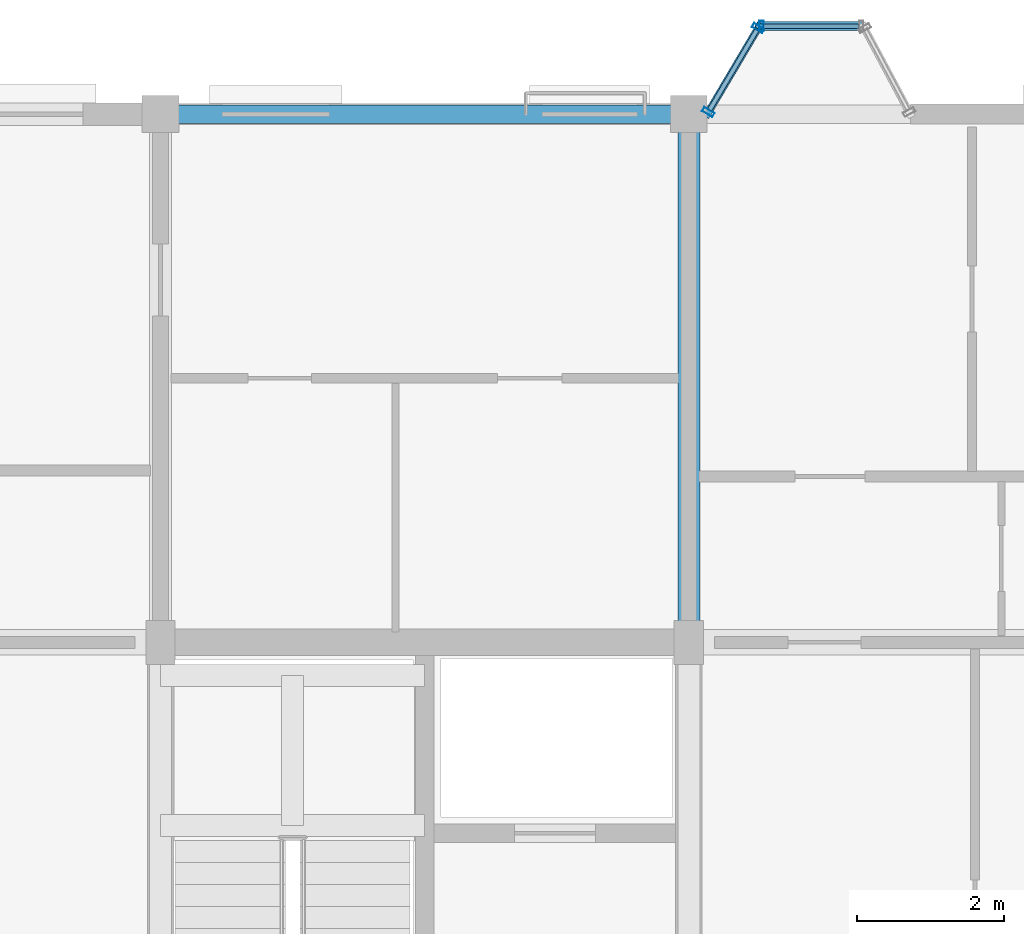
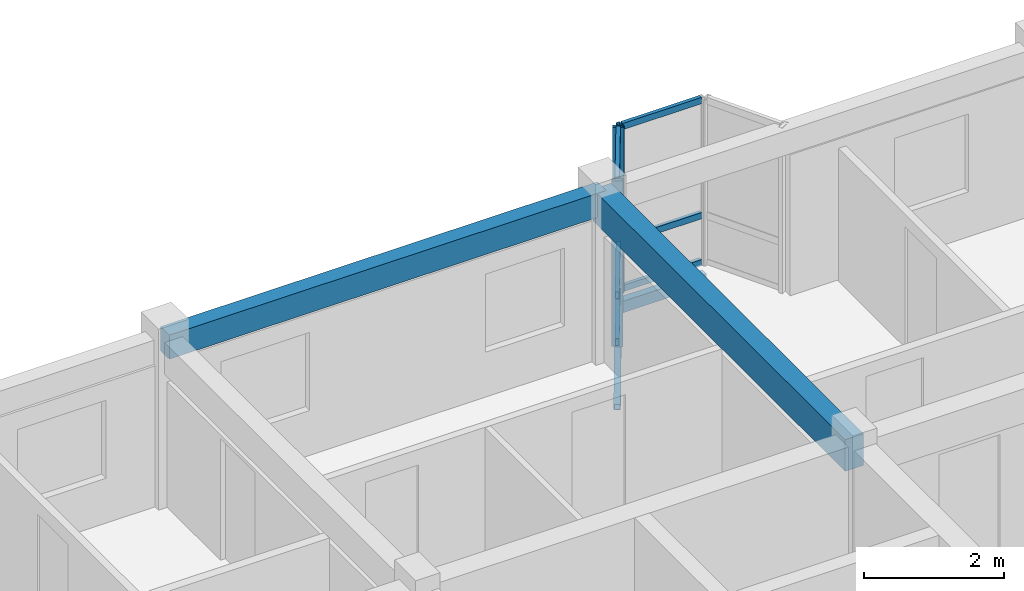
# One storey, part 33 of 64: 11 members, 2 beams, 2 elements without a shape of their own.
"""IFC4 building model written with IfcOpenShell, lengths in metres."""

from ifc_helpers import new_model, si_unit, direction, frame, origin, origin_2d, place, context, subcontext, project, spatial, rectangle, hollow_rectangle, extrude, material, layer, layer_set, material_profile, profile_set, type_object, element, aggregate, save


model = new_model("IFC4")

# Units and contexts
model_context = context("Model", 3, precision=1e-05, world=origin(), true_north=direction((0.0, 1.0)))
body_context = subcontext(model_context, "Body", "Model", "MODEL_VIEW")
ifc_project = project(units=[si_unit("LENGTHUNIT", "METRE"), si_unit("AREAUNIT", "SQUARE_METRE"), si_unit("VOLUMEUNIT", "CUBIC_METRE"), si_unit("PLANEANGLEUNIT", "RADIAN"), si_unit("MASSUNIT", "GRAM", prefix="KILO"), si_unit("THERMODYNAMICTEMPERATUREUNIT", "KELVIN"), si_unit("POWERUNIT", "WATT")], contexts=[model_context])

# Site, building, storey
site_placement = place(None, origin())
site = spatial("IfcSite", under=ifc_project, at=site_placement, CompositionType="ELEMENT")
building_placement = place(site_placement, origin())
building = spatial("IfcBuilding", under=site, at=building_placement, Name="Tavuni Mirador Residences", CompositionType="ELEMENT")
storey_placement = place(building_placement, frame((0.0, 0.0, 26.550048828125)))
storey = spatial("IfcBuildingStorey", under=building, at=storey_placement, Name="L08", CompositionType="ELEMENT", Elevation=26.550048828125)

# Beams
ifc_material_1 = material(Name="Precast concrete C40/50", Category="concrete")
ifc_material_profile_1 = material_profile(ifc_material_1, rectangle(XDim=0.300048828125, YDim=0.550048828125, at=origin_2d()), Name="PC 300x550", Category="concrete")
ifc_profile_set_1 = profile_set([ifc_material_profile_1], Name="Precast concrete C40/50")
beam_type_1 = type_object("IfcBeamType", Name="BT-B550", PredefinedType="BEAM", material=ifc_profile_set_1)
beam_1_placement = place(storey_placement, frame((32.39990234375, 165.60009765625, 2.60986328125), z_axis=(0.0, 1.0, 0.0), x_axis=(-1.0, 0.0, 0.0)))
element("IfcBeam", 1, at=beam_1_placement, inside=storey, type_object=beam_type_1, Name="BMY-BLK-C-L08-03-03", PredefinedType="BEAM", context=body_context, shape_type="SweptSolid", body=[
    extrude(rectangle(XDim=0.300048828125, YDim=0.550048828125, at=origin_2d()), origin(), (0.0, 0.0, 1.0), 7.199951171875),
])
ifc_material_profile_2 = material_profile(ifc_material_1, rectangle(XDim=0.25, YDim=0.419921875, at=origin_2d()), Name="PC 250x420", Category="concrete")
ifc_profile_set_2 = profile_set([ifc_material_profile_2], Name="Precast concrete C40/50")
beam_type_2 = type_object("IfcBeamType", Name="BT-SP420", PredefinedType="SPANDREL", material=ifc_profile_set_2)
beam_2_placement = place(storey_placement, frame((25.199951171875, 172.800048828125, 2.675048828125), z_axis=(1.0, 0.0, 0.0), x_axis=(0.0, 1.0, 0.0)))
element("IfcBeam", 2, at=beam_2_placement, inside=storey, type_object=beam_type_2, Name="BMX-BLK-C-L08-02-04", PredefinedType="SPANDREL", context=body_context, shape_type="SweptSolid", body=[
    extrude(rectangle(XDim=0.25, YDim=0.419921875, at=origin_2d()), origin(), (0.0, 0.0, 1.0), 7.199951171875),
])

# Curtain wall, member
ifc_material_2 = material(Name="Anodised aluminium", Category="aluminium")
ifc_layer_1 = layer(ifc_material_2, 0.1650390625, Name="Anodised aluminium", Category="aluminium")
ifc_layer_set_1 = layer_set([ifc_layer_1], Name="Anodised aluminium")
curtain_wall_type_1 = type_object("IfcCurtainWallType", Name="CWT-MIR-A", PredefinedType="NOTDEFINED", material=ifc_layer_set_1)
curtain_wall_1_placement = place(storey_placement, origin())
curtain_wall_1 = element("IfcCurtainWall", 3, at=curtain_wall_1_placement, inside=storey, type_object=curtain_wall_type_1, Name="CW-MIR-C-N2-L08-MF", PredefinedType="NOTDEFINED")
ifc_material_profile_3 = material_profile(ifc_material_2, hollow_rectangle(XDim=0.06005859375, YDim=0.139892578125, WallThickness=0.00390625, at=origin_2d()), Name="ALU 60x140x4.0", Category="aluminium")
ifc_profile_set_3 = profile_set([ifc_material_profile_3], Name="Anodised aluminium")
member_type_1 = type_object("IfcMemberType", Name="CWM-140", PredefinedType="MULLION", material=ifc_profile_set_3)
member_1_placement = place(storey_placement, frame((33.389892578125, 174.0, 0.0), z_axis=(0.0, 0.0, 1.0), x_axis=(-1.0, 0.0, 0.0)))
member_1 = element("IfcMember", 4, at=member_1_placement, type_object=member_type_1, Name="CW-01 mullion 2", PredefinedType="MULLION", context=body_context, shape_type="SweptSolid", body=[
    extrude(hollow_rectangle(XDim=0.06005859375, YDim=0.139892578125, WallThickness=0.00390625, at=origin_2d()), origin(), (0.0, 0.0, 1.0), 2.885009765625),
])

# Curtain wall, members
ifc_layer_2 = layer(ifc_material_2, 0.14990234375, Name="Anodised aluminium", Category="aluminium")
ifc_layer_set_2 = layer_set([ifc_layer_2], Name="Anodised aluminium")
curtain_wall_type_2 = type_object("IfcCurtainWallType", Name="CWT-MIR-B", PredefinedType="NOTDEFINED", material=ifc_layer_set_2)
curtain_wall_2_placement = place(storey_placement, origin())
curtain_wall_2 = element("IfcCurtainWall", 5, at=curtain_wall_2_placement, inside=storey, type_object=curtain_wall_type_2, Name="CW-MIR-C-N2-L08-M2", PredefinedType="NOTDEFINED")
ifc_material_profile_4 = material_profile(ifc_material_2, hollow_rectangle(XDim=0.06494140625, YDim=0.1650390625, WallThickness=0.00439453125, at=origin_2d()), Name="ALU 65x165x4.5", Category="aluminium")
ifc_profile_set_4 = profile_set([ifc_material_profile_4], Name="Anodised aluminium")
member_type_2 = type_object("IfcMemberType", Name="CWM-165", PredefinedType="MULLION", material=ifc_profile_set_4)
member_2_placement = place(storey_placement, frame((33.343505859375, 173.971923828125, 0.0), z_axis=(0.0, 0.0, 1.0), x_axis=(-0.509212491254, -0.860640830284, 0.0)))
member_2 = element("IfcMember", 6, at=member_2_placement, type_object=member_type_2, Name="CW-02 mullion 1", PredefinedType="MULLION", context=body_context, shape_type="SweptSolid", body=[
    extrude(hollow_rectangle(XDim=0.06494140625, YDim=0.1650390625, WallThickness=0.00439453125, at=origin_2d()), origin(), (0.0, 0.0, 1.0), 2.885009765625),
])
member_3_placement = place(storey_placement, frame((32.66650390625, 172.827880859375, 0.0), z_axis=(0.0, 0.0, 1.0), x_axis=(-0.509212491254, -0.860640830284, 0.0)))
member_3 = element("IfcMember", 7, at=member_3_placement, type_object=member_type_2, Name="CW-02 mullion 2", PredefinedType="MULLION", context=body_context, shape_type="SweptSolid", body=[
    extrude(hollow_rectangle(XDim=0.06494140625, YDim=0.1650390625, WallThickness=0.00439453125, at=origin_2d()), origin(), (0.0, 0.0, 1.0), 2.885009765625),
])

# Member
ifc_material_profile_5 = material_profile(ifc_material_2, hollow_rectangle(XDim=0.06005859375, YDim=0.110107421875, WallThickness=0.00390625, at=origin_2d()), Name="ALU 60x110x4.0", Category="aluminium")
ifc_profile_set_5 = profile_set([ifc_material_profile_5], Name="Anodised aluminium")
member_type_3 = type_object("IfcMemberType", Name="CWT-110", PredefinedType="USERDEFINED", material=ifc_profile_set_5)
member_4_placement = place(storey_placement, frame((34.719970703125, 174.0, 0.030029296875), z_axis=(-1.0, 0.0, 0.0), x_axis=(0.0, -1.0, 0.0)))
member_4 = element("IfcMember", 8, at=member_4_placement, type_object=member_type_3, Name="CW-01 transom 1.1", ObjectType="TRANSOM", PredefinedType="USERDEFINED", context=body_context, shape_type="SweptSolid", body=[
    extrude(hollow_rectangle(XDim=0.06005859375, YDim=0.110107421875, WallThickness=0.00390625, at=origin_2d()), origin(), (0.0, 0.0, 1.0), 1.300048828125),
])

member_5_placement = place(storey_placement, frame((34.719970703125, 174.0, 0.849853515625), z_axis=(-1.0, 0.0, 0.0), x_axis=(0.0, -1.0, 0.0)))
member_5 = element("IfcMember", 9, at=member_5_placement, type_object=member_type_3, Name="CW-01 transom 1.2", ObjectType="TRANSOM", PredefinedType="USERDEFINED", context=body_context, shape_type="SweptSolid", body=[
    extrude(hollow_rectangle(XDim=0.06005859375, YDim=0.110107421875, WallThickness=0.00390625, at=origin_2d()), origin(), (0.0, 0.0, 1.0), 1.300048828125),
])

member_6_placement = place(storey_placement, frame((34.719970703125, 174.0, 2.85498046875), z_axis=(-1.0, 0.0, 0.0), x_axis=(0.0, -1.0, 0.0)))
member_6 = element("IfcMember", 10, at=member_6_placement, type_object=member_type_3, Name="CW-01 transom 1.3", ObjectType="TRANSOM", PredefinedType="USERDEFINED", context=body_context, shape_type="SweptSolid", body=[
    extrude(hollow_rectangle(XDim=0.06005859375, YDim=0.110107421875, WallThickness=0.00390625, at=origin_2d()), origin(), (0.0, 0.0, 1.0), 1.300048828125),
])

aggregate(curtain_wall_1, [member_1, member_4, member_5, member_6])

ifc_material_profile_6 = material_profile(ifc_material_2, hollow_rectangle(XDim=0.06494140625, YDim=0.125, WallThickness=0.00439453125, at=origin_2d()), Name="ALU 65x125x4.5", Category="aluminium")
ifc_profile_set_6 = profile_set([ifc_material_profile_6], Name="Anodised aluminium")
member_type_4 = type_object("IfcMemberType", Name="CWT-125", PredefinedType="USERDEFINED", material=ifc_profile_set_6)
member_7_placement = place(storey_placement, frame((33.326904296875, 173.944091796875, 0.032470703125), z_axis=(-0.509204147839, -0.860645766749, 0.0), x_axis=(0.860645766749, -0.509204147839, 0.0)))
member_7 = element("IfcMember", 11, at=member_7_placement, type_object=member_type_4, Name="CW-02 transom 1.1", ObjectType="TRANSOM", PredefinedType="USERDEFINED", context=body_context, shape_type="SweptSolid", body=[
    extrude(hollow_rectangle(XDim=0.06494140625, YDim=0.125, WallThickness=0.00439453125, at=origin_2d()), origin(), (0.0, 0.0, 1.0), 1.264404296875),
])

member_8_placement = place(storey_placement, frame((33.326904296875, 173.944091796875, 0.849853515625), z_axis=(-0.509204147839, -0.860645766749, 0.0), x_axis=(0.860645766749, -0.509204147839, 0.0)))
member_8 = element("IfcMember", 12, at=member_8_placement, type_object=member_type_4, Name="CW-02 transom 1.2", ObjectType="TRANSOM", PredefinedType="USERDEFINED", context=body_context, shape_type="SweptSolid", body=[
    extrude(hollow_rectangle(XDim=0.06494140625, YDim=0.125, WallThickness=0.00439453125, at=origin_2d()), origin(), (0.0, 0.0, 1.0), 1.264404296875),
])

member_9_placement = place(storey_placement, frame((33.326904296875, 173.944091796875, 2.8525390625), z_axis=(-0.509204147839, -0.860645766749, 0.0), x_axis=(0.860645766749, -0.509204147839, 0.0)))
member_9 = element("IfcMember", 13, at=member_9_placement, type_object=member_type_4, Name="CW-02 transom 1.3", ObjectType="TRANSOM", PredefinedType="USERDEFINED", context=body_context, shape_type="SweptSolid", body=[
    extrude(hollow_rectangle(XDim=0.06494140625, YDim=0.125, WallThickness=0.00439453125, at=origin_2d()), origin(), (0.0, 0.0, 1.0), 1.264404296875),
])

aggregate(curtain_wall_2, [member_2, member_3, member_7, member_8, member_9])

# Members
ifc_material_3 = material(Name="Structural steel S355", Category="steel")
ifc_material_profile_7 = material_profile(ifc_material_3, hollow_rectangle(XDim=0.10009765625, YDim=0.179931640625, WallThickness=0.008056640625, at=origin_2d()), Name="RHS 180x100x8.0", Category="steel")
ifc_profile_set_7 = profile_set([ifc_material_profile_7], Name="Structural steel S355")
member_type_5 = type_object("IfcMemberType", Name="MT-BR-RHS180", PredefinedType="BRACE", material=ifc_profile_set_7)
member_10_placement = place(storey_placement, frame((32.64990234375, 172.800048828125, -1.050048828125), z_axis=(0.44384687269, 0.749916596518, 0.49053547463), x_axis=(-0.860567285497, 0.509336771823, 0.0)))
element("IfcMember", 14, at=member_10_placement, inside=storey, type_object=member_type_5, Name="MBRK-MIR-C-N2-L08-1", PredefinedType="BRACE", context=body_context, shape_type="SweptSolid", body=[
    extrude(hollow_rectangle(XDim=0.10009765625, YDim=0.179931640625, WallThickness=0.008056640625, at=origin_2d()), origin(), (0.0, 0.0, 1.0), 1.60009765625),
])
ifc_material_profile_8 = material_profile(ifc_material_3, hollow_rectangle(XDim=0.1201171875, YDim=0.199951171875, WallThickness=0.010009765625, at=origin_2d()), Name="RHS 200x120x10.0", Category="steel")
ifc_profile_set_8 = profile_set([ifc_material_profile_8], Name="Structural steel S355")
member_type_6 = type_object("IfcMemberType", Name="MT-ST-RHS200", PredefinedType="STRUT", material=ifc_profile_set_8)
member_11_placement = place(storey_placement, frame((33.360107421875, 174.0, -0.26513671875), z_axis=(1.0, 0.0, 0.0), x_axis=(0.0, 1.0, 0.0)))
element("IfcMember", 15, at=member_11_placement, inside=storey, type_object=member_type_6, Name="MRIM-MIR-C-N2-L08", PredefinedType="STRUT", context=body_context, shape_type="SweptSolid", body=[
    extrude(hollow_rectangle(XDim=0.1201171875, YDim=0.199951171875, WallThickness=0.010009765625, at=origin_2d()), origin(), (0.0, 0.0, 1.0), 1.419921875),
])

save(model, "model.ifc")
